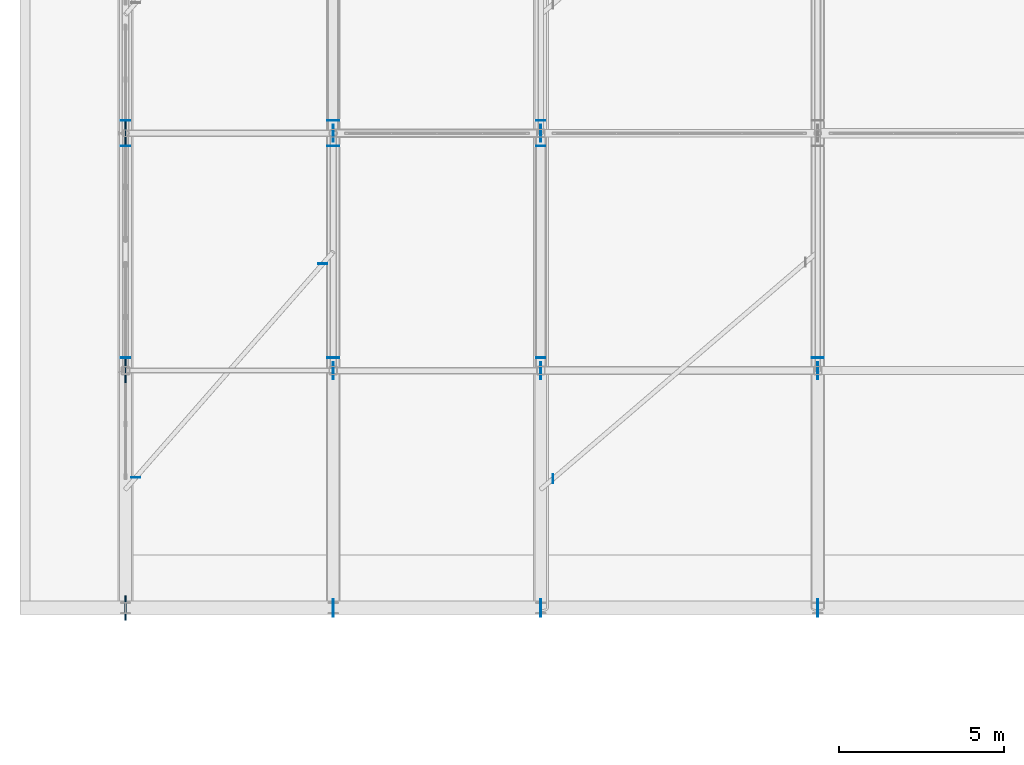
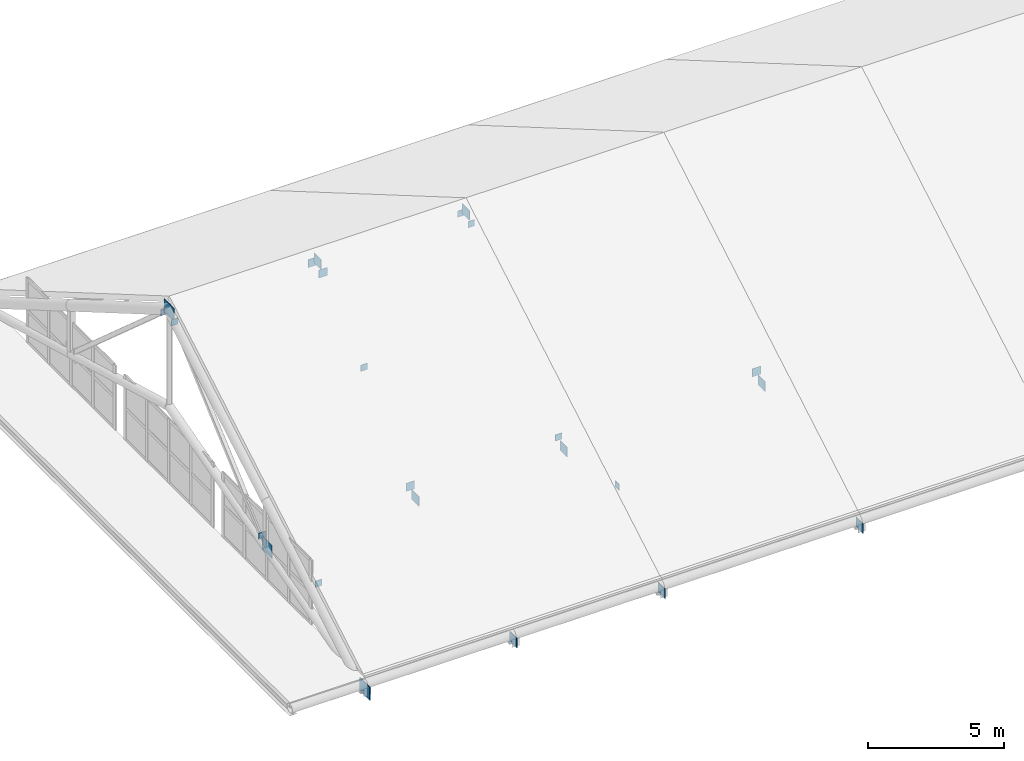
# One storey, part 41 of 54: 24 plates.
"""IFC4 building model written with IfcOpenShell, lengths in metres."""

from ifc_helpers import new_model, si_unit, direction, frame, origin, origin_2d, place, context, subcontext, project, spatial, rectangle, extrude, material, layer, layer_set, type_object, element, save


model = new_model("IFC4")

# Units and contexts
model_context = context("Model", 3, precision=1e-05, world=origin(), true_north=direction((0.0, 1.0)))
body_context = subcontext(model_context, "Body", "Model", "MODEL_VIEW")
ifc_project = project(units=[si_unit("LENGTHUNIT", "METRE"), si_unit("AREAUNIT", "SQUARE_METRE"), si_unit("VOLUMEUNIT", "CUBIC_METRE"), si_unit("PLANEANGLEUNIT", "RADIAN"), si_unit("MASSUNIT", "GRAM", prefix="KILO")], contexts=[model_context])

# Site, building, storey
site_placement = place(None, origin())
site = spatial("IfcSite", under=ifc_project, at=site_placement, CompositionType="ELEMENT")
building_placement = place(site_placement, origin())
building = spatial("IfcBuilding", under=site, at=building_placement, Name="Zulmaris Art Gallery", CompositionType="ELEMENT")
storey_placement = place(building_placement, frame((0.0, 0.0, 26.39990234375)))
storey = spatial("IfcBuildingStorey", under=building, at=storey_placement, Name="L05", CompositionType="ELEMENT", Elevation=26.39990234375)

# Plates
ifc_material = material(Name="Steel S355J2", Category="steel")
ifc_layer_1 = layer(ifc_material, 0.02001953125)
ifc_layer_set_1 = layer_set([ifc_layer_1], Name="Steel S355J2")
plate_type_1 = type_object("IfcPlateType", Name="PLT-CP01", PredefinedType="USERDEFINED", material=ifc_layer_set_1)
for number, where, z_axis, x_axis, name in (
    (1, (11.39990234375, 29.189453125, 1.65478515625), (0.0, 0.0, 1.0), (1.0, 0.0, 0.0), "Hollow-section end cap plate 73"),
    (2, (11.39990234375, 35.610595703125, 7.33544921875), (0.0, 0.0, 1.0), (1.0, 0.0, 0.0), "Hollow-section end cap plate 74"),
    (3, (11.39990234375, 36.389404296875, 7.33544921875), (0.0, 0.0, 1.0), (1.0, 0.0, 0.0), "Hollow-section end cap plate 75"),
    (4, (24.0, 29.189453125, 1.65478515625), (0.0, 0.0, 1.0), (1.0, 0.0, 0.0), "Hollow-section end cap plate 81"),
    (5, (24.0, 35.610595703125, 7.33544921875), (0.0, 0.0, 1.0), (1.0, 0.0, 0.0), "Hollow-section end cap plate 82"),
    (6, (24.0, 36.389404296875, 7.33544921875), (0.0, 0.0, 1.0), (1.0, 0.0, 0.0), "Hollow-section end cap plate 83"),
    (7, (11.71337890625, 25.558349609375, 1.5888671875), (0.0, 0.0, 1.0), (1.0, 0.0, 0.0), "Hollow-section end cap plate 113"),
    (8, (17.386474609375, 32.041748046875, 5.37109375), (0.0, 0.0, 1.0), (1.0, 0.0, 0.0), "Hollow-section end cap plate 114"),
):
    element("IfcPlate", number, at=place(storey_placement, frame(where, z_axis=z_axis, x_axis=x_axis)), inside=storey, type_object=plate_type_1, Name=name, ObjectType="CAP PLATE", PredefinedType="USERDEFINED", context=body_context, shape_type="SweptSolid", body=[
        extrude(rectangle(XDim=0.280029296875, YDim=0.02001953125, at=origin_2d()), origin(), (0.0, 0.0, 1.0), 0.280029296875),
    ])
plate_placement = place(storey_placement, frame((24.369140625, 25.516357421875, 1.564453125), z_axis=(0.0, 0.0, 1.0), x_axis=(1.0, 0.0, 0.0)))
element("IfcPlate", 9, at=plate_placement, inside=storey, type_object=plate_type_1, Name="Hollow-section end cap plate 117", ObjectType="CAP PLATE", PredefinedType="USERDEFINED", context=body_context, shape_type="SweptSolid", body=[
    extrude(rectangle(XDim=0.02001953125, YDim=0.280029296875, at=origin_2d()), origin(), (0.0, 0.0, 1.0), 0.280029296875),
])
ifc_layer_2 = layer(ifc_material, 0.02197265625)
ifc_layer_set_2 = layer_set([ifc_layer_2], Name="Steel S355J2")
plate_type_2 = type_object("IfcPlateType", Name="PLT-CP02", PredefinedType="USERDEFINED", material=ifc_layer_set_2)
for number, where, z_axis, x_axis, name in (
    (10, (17.699951171875, 29.189453125, 1.61474609375), (0.0, 0.0, 1.0), (1.0, 0.0, 0.0), "Hollow-section end cap plate 77"),
    (11, (17.699951171875, 35.610595703125, 7.29541015625), (0.0, 0.0, 1.0), (1.0, 0.0, 0.0), "Hollow-section end cap plate 78"),
    (12, (17.699951171875, 36.389404296875, 7.29541015625), (0.0, 0.0, 1.0), (1.0, 0.0, 0.0), "Hollow-section end cap plate 79"),
    (13, (32.39990234375, 29.189453125, 1.61474609375), (0.0, 0.0, 1.0), (1.0, 0.0, 0.0), "Hollow-section end cap plate 85"),
):
    element("IfcPlate", number, at=place(storey_placement, frame(where, z_axis=z_axis, x_axis=x_axis)), inside=storey, type_object=plate_type_2, Name=name, ObjectType="CAP PLATE", PredefinedType="USERDEFINED", context=body_context, shape_type="SweptSolid", body=[
        extrude(rectangle(XDim=0.360107421875, YDim=0.02197265625, at=origin_2d()), origin(), (0.0, 0.0, 1.0), 0.360107421875),
    ])
ifc_layer_3 = layer(ifc_material, 0.02392578125)
ifc_layer_set_3 = layer_set([ifc_layer_3], Name="Steel S355J2")
plate_type_3 = type_object("IfcPlateType", Name="PLT-GP01", PredefinedType="USERDEFINED", material=ifc_layer_set_3)
for number, where, z_axis, x_axis, name in (
    (14, (17.699951171875, 21.60009765625, -0.719970703125), (0.0, 0.0, 1.0), (1.0, 0.0, 0.0), "Pitched truss TR-R02 node gusset 1"),
    (15, (17.699951171875, 28.800048828125, 1.280029296875), (0.0, 0.0, 1.0), (1.0, 0.0, 0.0), "Pitched truss TR-R02 node gusset 2"),
    (16, (17.699951171875, 36.0, 7.550048828125), (0.0, 0.0, 1.0), (1.0, 0.0, 0.0), "Pitched truss TR-R02 node gusset 3"),
    (17, (24.0, 21.60009765625, -0.719970703125), (0.0, 0.0, 1.0), (1.0, 0.0, 0.0), "Pitched truss TR-R03 node gusset 1"),
    (18, (24.0, 28.800048828125, 1.280029296875), (0.0, 0.0, 1.0), (1.0, 0.0, 0.0), "Pitched truss TR-R03 node gusset 2"),
    (19, (24.0, 36.0, 7.550048828125), (0.0, 0.0, 1.0), (1.0, 0.0, 0.0), "Pitched truss TR-R03 node gusset 3"),
    (20, (32.39990234375, 21.60009765625, -0.719970703125), (0.0, 0.0, 1.0), (1.0, 0.0, 0.0), "Pitched truss TR-R04 node gusset 1"),
    (21, (32.39990234375, 28.800048828125, 1.280029296875), (0.0, 0.0, 1.0), (1.0, 0.0, 0.0), "Pitched truss TR-R04 node gusset 2"),
):
    element("IfcPlate", number, at=place(storey_placement, frame(where, z_axis=z_axis, x_axis=x_axis)), inside=storey, type_object=plate_type_3, Name=name, ObjectType="GUSSET PLATE", PredefinedType="USERDEFINED", context=body_context, shape_type="SweptSolid", body=[
        extrude(rectangle(XDim=0.02392578125, YDim=0.52001953125, at=origin_2d()), origin(), (0.0, 0.0, 1.0), 0.43994140625),
    ])
ifc_layer_4 = layer(ifc_material, 0.031982421875)
ifc_layer_set_4 = layer_set([ifc_layer_4], Name="Steel S355J2")
plate_type_4 = type_object("IfcPlateType", Name="PLT-GP03", PredefinedType="USERDEFINED", material=ifc_layer_set_4)
for number, where, z_axis, x_axis, name in (
    (22, (11.39990234375, 21.60009765625, -0.800048828125), (0.0, 0.0, 1.0), (1.0, 0.0, 0.0), "Pitched truss TR-R01 node gusset 1"),
    (23, (11.39990234375, 28.800048828125, 1.199951171875), (0.0, 0.0, 1.0), (1.0, 0.0, 0.0), "Pitched truss TR-R01 node gusset 2"),
    (24, (11.39990234375, 36.0, 7.469970703125), (0.0, 0.0, 1.0), (1.0, 0.0, 0.0), "Pitched truss TR-R01 node gusset 3"),
):
    element("IfcPlate", number, at=place(storey_placement, frame(where, z_axis=z_axis, x_axis=x_axis)), inside=storey, type_object=plate_type_4, Name=name, ObjectType="GUSSET PLATE", PredefinedType="USERDEFINED", context=body_context, shape_type="SweptSolid", body=[
        extrude(rectangle(XDim=0.031982421875, YDim=0.739990234375, at=origin_2d()), origin(), (0.0, 0.0, 1.0), 0.60009765625),
    ])

save(model, "model.ifc")
